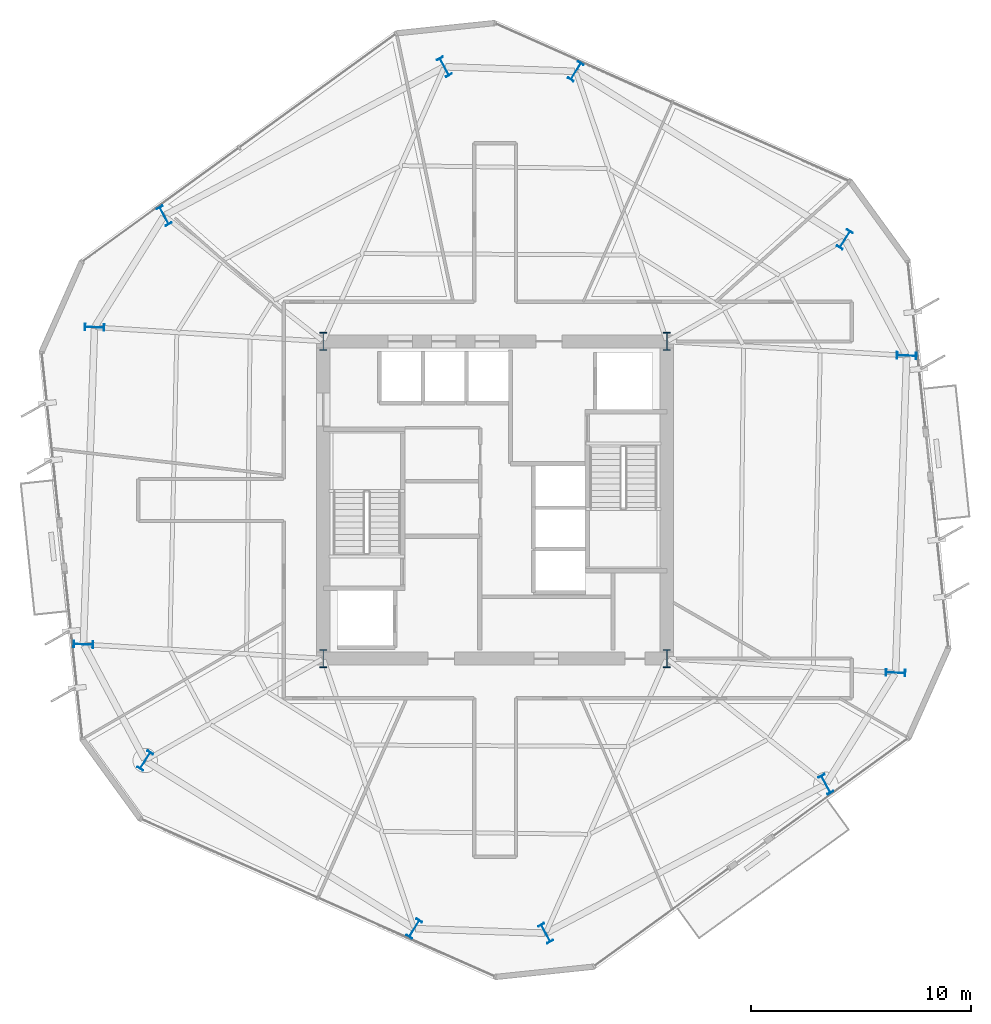
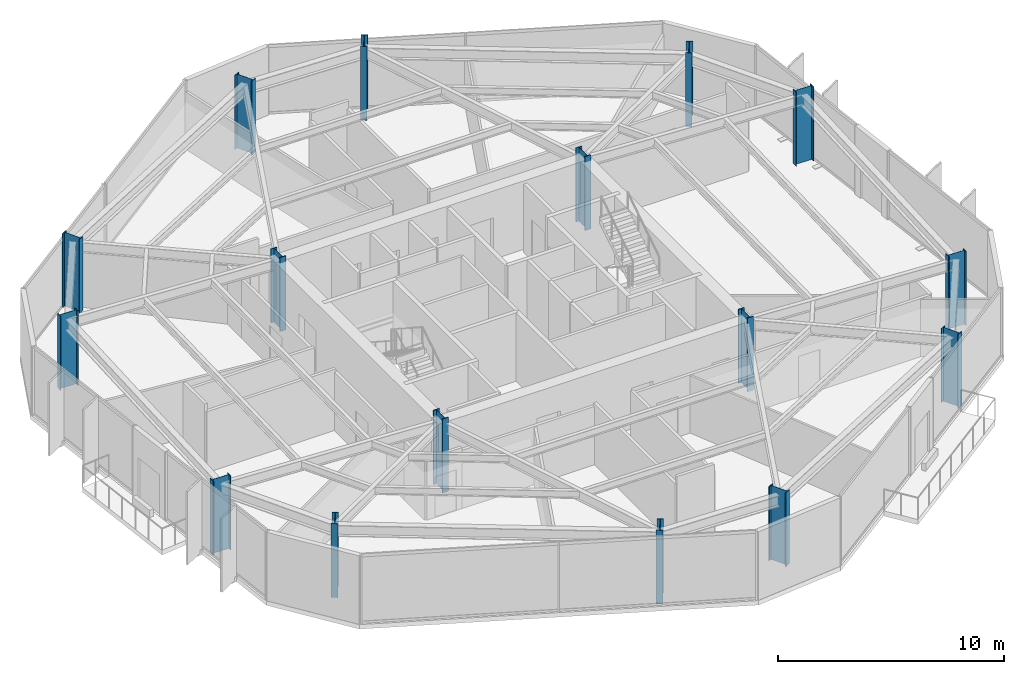
# One storey, part 1 of 12: 16 columns.
"""IFC4 building model written with IfcOpenShell, lengths in metres."""

from ifc_helpers import new_model, si_unit, direction, frame, origin, origin_2d, place, context, subcontext, project, spatial, i_section, extrude, material, material_profile, profile_set, type_object, element, save


model = new_model("IFC4")

# Units and contexts
model_context = context("Model", 3, precision=1e-05, world=origin(), true_north=direction((0.0, 1.0)))
body_context = subcontext(model_context, "Body", "Model", "MODEL_VIEW")
ifc_project = project(units=[si_unit("LENGTHUNIT", "METRE"), si_unit("AREAUNIT", "SQUARE_METRE"), si_unit("VOLUMEUNIT", "CUBIC_METRE"), si_unit("PLANEANGLEUNIT", "RADIAN"), si_unit("MASSUNIT", "GRAM", prefix="KILO")], contexts=[model_context])

# Site, building, storey
site_placement = place(None, origin())
site = spatial("IfcSite", under=ifc_project, at=site_placement, CompositionType="ELEMENT")
building_placement = place(site_placement, origin())
building = spatial("IfcBuilding", under=site, at=building_placement, Name="Kranzbogen Civic Tower", CompositionType="ELEMENT")
storey_placement = place(building_placement, frame((0.0, 0.0, 166.39990234375)))
storey = spatial("IfcBuildingStorey", under=building, at=storey_placement, Name="L40", CompositionType="ELEMENT", Elevation=166.39990234375)

# Columns
ifc_material_1 = material(Name="Steel S355", Category="steel")
ifc_material_profile_1 = material_profile(ifc_material_1, i_section(OverallWidth=0.300048828125, OverallDepth=0.89990234375, WebThickness=0.0185546875, FlangeThickness=0.034912109375, at=origin_2d()), Name="HEB 900")
ifc_profile_set_1 = profile_set([ifc_material_profile_1], Name="Steel S355")
column_type_1 = type_object("IfcColumnType", Name="Structural Column HEB 900", PredefinedType="COLUMN", material=ifc_profile_set_1)
for number, where, z_axis, x_axis, name in (
    (1, (40.885986328125, 36.8291015625, 0.0), (0.0, 0.0, 1.0), (-0.848048096156, 0.529919264233, 0.0), "L40 tower perimeter tube column 01"),
    (2, (28.66796875, 44.464111328125, 0.0), (0.0, 0.0, 1.0), (-0.848048096156, 0.529919264233, 0.0), "L40 tower perimeter tube column 02"),
    (3, (22.698974609375, 44.672119140625, 0.0), (0.0, 0.0, 1.0), (0.882947592859, 0.469471562786, 0.0), "L40 tower perimeter tube column 03"),
    (4, (9.97705078125, 37.907958984375, 0.0), (0.0, 0.0, 1.0), (0.882947592859, 0.469471562786, 0.0), "L40 tower perimeter tube column 04"),
    (5, (6.81298828125, 32.843994140625, 0.0), (0.0, 0.0, 1.0), (0.034899496703, 0.999390827019, 0.0), "L40 tower perimeter tube column 05"),
    (6, (6.31005859375, 18.444091796875, 0.0), (0.0, 0.0, 1.0), (0.034899496703, 0.999390827019, 0.0), "L40 tower perimeter tube column 06"),
    (7, (9.114013671875, 13.1708984375, 0.0), (0.0, 0.0, 1.0), (-0.848048096156, 0.529919264233, 0.0), "L40 tower perimeter tube column 07"),
    (8, (21.33203125, 5.535888671875, 0.0), (0.0, 0.0, 1.0), (-0.848048096156, 0.529919264233, 0.0), "L40 tower perimeter tube column 08"),
    (9, (27.301025390625, 5.327880859375, 0.0), (0.0, 0.0, 1.0), (0.882947592859, 0.469471562786, 0.0), "L40 tower perimeter tube column 09"),
    (10, (40.02294921875, 12.092041015625, 0.0), (0.0, 0.0, 1.0), (0.882947592859, 0.469471562786, 0.0), "L40 tower perimeter tube column 10"),
    (11, (43.18701171875, 17.156005859375, 0.0), (0.0, 0.0, 1.0), (0.034899496703, 0.999390827019, 0.0), "L40 tower perimeter tube column 11"),
    (12, (43.68994140625, 31.555908203125, 0.0), (0.0, 0.0, 1.0), (0.034899496703, 0.999390827019, 0.0), "L40 tower perimeter tube column 12"),
):
    element("IfcColumn", number, at=place(storey_placement, frame(where, z_axis=z_axis, x_axis=x_axis)), inside=storey, type_object=column_type_1, Name=name, PredefinedType="COLUMN", context=body_context, shape_type="SweptSolid", body=[
        extrude(i_section(OverallWidth=0.300048828125, OverallDepth=0.89990234375, WebThickness=0.0185546875, FlangeThickness=0.034912109375, at=origin_2d()), origin(), (0.0, 0.0, 1.0), 4.0),
    ])
ifc_material_2 = material(Name="Steel S460", Category="steel")
ifc_material_profile_2 = material_profile(ifc_material_2, i_section(OverallWidth=0.302978515625, OverallDepth=0.81396484375, WebThickness=0.02099609375, FlangeThickness=0.0400390625, at=origin_2d()), Name="HEM 800")
ifc_profile_set_2 = profile_set([ifc_material_profile_2], Name="Steel S460")
column_type_2 = type_object("IfcColumnType", Name="Structural Column HEM 800", PredefinedType="COLUMN", material=ifc_profile_set_2)
for number, where, z_axis, x_axis, name in (
    (13, (17.199951171875, 17.800048828125, 0.0), (0.0, 0.0, 1.0), (1.0, 0.0, 0.0), "L40 composite core corner column 1"),
    (14, (32.800048828125, 17.800048828125, 0.0), (0.0, 0.0, 1.0), (1.0, 0.0, 0.0), "L40 composite core corner column 2"),
    (15, (32.800048828125, 32.199951171875, 0.0), (0.0, 0.0, 1.0), (1.0, 0.0, 0.0), "L40 composite core corner column 3"),
    (16, (17.199951171875, 32.199951171875, 0.0), (0.0, 0.0, 1.0), (1.0, 0.0, 0.0), "L40 composite core corner column 4"),
):
    element("IfcColumn", number, at=place(storey_placement, frame(where, z_axis=z_axis, x_axis=x_axis)), inside=storey, type_object=column_type_2, Name=name, PredefinedType="COLUMN", context=body_context, shape_type="SweptSolid", body=[
        extrude(i_section(OverallWidth=0.302978515625, OverallDepth=0.81396484375, WebThickness=0.02099609375, FlangeThickness=0.0400390625, at=origin_2d()), origin(), (0.0, 0.0, 1.0), 4.0),
    ])

save(model, "model.ifc")
